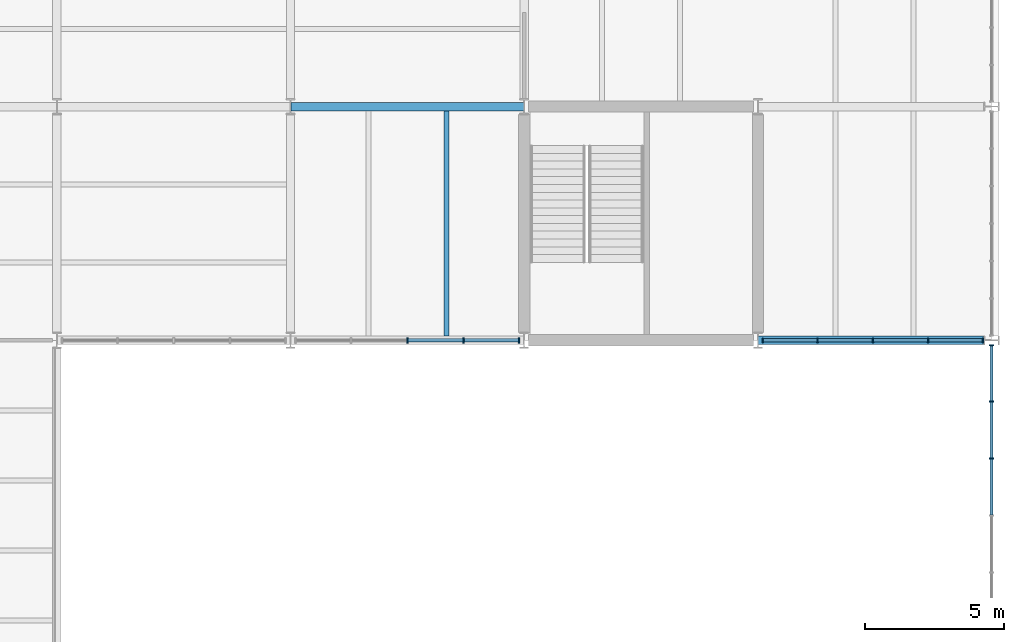
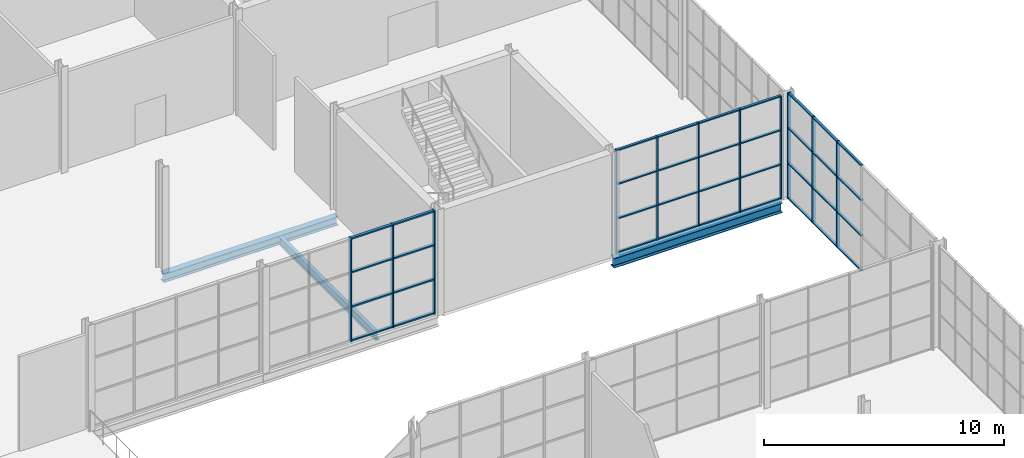
# One storey, part 28 of 64: 47 members, 3 beams, 3 elements without a shape of their own.
"""IFC4 building model written with IfcOpenShell, lengths in metres."""

from ifc_helpers import new_model, si_unit, direction, frame, origin, origin_2d, place, context, subcontext, project, spatial, rectangle, i_section, extrude, material, layer, layer_set, material_profile, profile_set, type_object, element, aggregate, save


model = new_model("IFC4")

# Units and contexts
model_context = context("Model", 3, precision=1e-05, world=origin(), true_north=direction((0.0, 1.0)))
body_context = subcontext(model_context, "Body", "Model", "MODEL_VIEW")
ifc_project = project(units=[si_unit("LENGTHUNIT", "METRE"), si_unit("AREAUNIT", "SQUARE_METRE"), si_unit("VOLUMEUNIT", "CUBIC_METRE"), si_unit("PLANEANGLEUNIT", "RADIAN"), si_unit("MASSUNIT", "GRAM", prefix="KILO")], contexts=[model_context])

# Site, building, storey
site_placement = place(None, origin())
site = spatial("IfcSite", under=ifc_project, at=site_placement, CompositionType="ELEMENT")
building_placement = place(site_placement, origin())
building = spatial("IfcBuilding", under=site, at=building_placement, Name="Galleria Vessillo Department Store", CompositionType="ELEMENT")
storey_placement = place(building_placement, frame((0.0, 0.0, 6.0)))
storey = spatial("IfcBuildingStorey", under=building, at=storey_placement, Name="L01", CompositionType="ELEMENT", Elevation=6.0)

# Curtain wall, members
ifc_material_1 = material(Name="Aluminium and glass curtain wall", Category="aluminium")
ifc_layer_1 = layer(ifc_material_1, 0.159912109375)
ifc_layer_set_1 = layer_set([ifc_layer_1], Name="Aluminium and glass curtain wall")
curtain_wall_type_1 = type_object("IfcCurtainWallType", Name="Arcade portal glazing CW2 2100 module", PredefinedType="NOTDEFINED", material=ifc_layer_set_1)
curtain_wall_1_placement = place(storey_placement, origin())
curtain_wall_1 = element("IfcCurtainWall", 1, at=curtain_wall_1_placement, inside=storey, type_object=curtain_wall_type_1, Name="Arcade portal glazing CW2 2100 module PW-E-N-L01-01", PredefinedType="NOTDEFINED")
ifc_material_2 = material(Name="Aluminium alloy 6063 T6", Category="aluminium")
ifc_material_profile_1 = material_profile(ifc_material_2, rectangle(XDim=0.159912109375, YDim=0.050048828125, at=origin_2d()), Name="AL 50x160")
ifc_profile_set_1 = profile_set([ifc_material_profile_1], Name="Aluminium alloy 6063 T6")
member_type_1 = type_object("IfcMemberType", Name="Aluminium mullion 50 x 160", PredefinedType="MULLION", material=ifc_profile_set_1)
member_1_placement = place(storey_placement, frame((109.3779296875, 37.800048828125, 0.0), z_axis=(0.0, 0.0, 1.0), x_axis=(0.0, 1.0, 0.0)))
member_1 = element("IfcMember", 2, at=member_1_placement, type_object=member_type_1, Name="CW2 mullion 1", PredefinedType="MULLION", context=body_context, shape_type="SweptSolid", body=[
    extrude(rectangle(XDim=0.159912109375, YDim=0.050048828125, at=origin_2d()), origin(), (0.0, 0.0, 1.0), 5.25),
])
member_2_placement = place(storey_placement, frame((111.34326171875, 37.800048828125, 0.0), z_axis=(0.0, 0.0, 1.0), x_axis=(0.0, 1.0, 0.0)))
member_2 = element("IfcMember", 3, at=member_2_placement, type_object=member_type_1, Name="CW2 mullion 2", PredefinedType="MULLION", context=body_context, shape_type="SweptSolid", body=[
    extrude(rectangle(XDim=0.159912109375, YDim=0.050048828125, at=origin_2d()), origin(), (0.0, 0.0, 1.0), 5.25),
])
member_3_placement = place(storey_placement, frame((113.33349609375, 37.800048828125, 0.0), z_axis=(0.0, 0.0, 1.0), x_axis=(0.0, 1.0, 0.0)))
member_3 = element("IfcMember", 4, at=member_3_placement, type_object=member_type_1, Name="CW2 mullion 3", PredefinedType="MULLION", context=body_context, shape_type="SweptSolid", body=[
    extrude(rectangle(XDim=0.159912109375, YDim=0.050048828125, at=origin_2d()), origin(), (0.0, 0.0, 1.0), 5.25),
])
member_4_placement = place(storey_placement, frame((115.323974609375, 37.800048828125, 0.0), z_axis=(0.0, 0.0, 1.0), x_axis=(0.0, 1.0, 0.0)))
member_4 = element("IfcMember", 5, at=member_4_placement, type_object=member_type_1, Name="CW2 mullion 4", PredefinedType="MULLION", context=body_context, shape_type="SweptSolid", body=[
    extrude(rectangle(XDim=0.159912109375, YDim=0.050048828125, at=origin_2d()), origin(), (0.0, 0.0, 1.0), 5.25),
])
member_5_placement = place(storey_placement, frame((117.289306640625, 37.800048828125, 0.0), z_axis=(0.0, 0.0, 1.0), x_axis=(0.0, 1.0, 0.0)))
member_5 = element("IfcMember", 6, at=member_5_placement, type_object=member_type_1, Name="CW2 mullion 5", PredefinedType="MULLION", context=body_context, shape_type="SweptSolid", body=[
    extrude(rectangle(XDim=0.159912109375, YDim=0.050048828125, at=origin_2d()), origin(), (0.0, 0.0, 1.0), 5.25),
])

curtain_wall_2_placement = place(storey_placement, origin())
curtain_wall_2 = element("IfcCurtainWall", 7, at=curtain_wall_2_placement, inside=storey, type_object=curtain_wall_type_1, Name="Arcade portal glazing CW2 2100 module SCR-E-L01-01", PredefinedType="NOTDEFINED")
member_6_placement = place(storey_placement, frame((117.60009765625, 33.548828125, 0.0), z_axis=(0.0, 0.0, 1.0), x_axis=(-1.0, 0.0, 0.0)))
member_6 = element("IfcMember", 8, at=member_6_placement, type_object=member_type_1, Name="CW2 mullion 5", PredefinedType="MULLION", context=body_context, shape_type="SweptSolid", body=[
    extrude(rectangle(XDim=0.159912109375, YDim=0.050048828125, at=origin_2d()), origin(), (0.0, 0.0, 1.0), 5.39990234375),
])
member_7_placement = place(storey_placement, frame((117.60009765625, 35.597900390625, 0.0), z_axis=(0.0, 0.0, 1.0), x_axis=(-1.0, 0.0, 0.0)))
member_7 = element("IfcMember", 9, at=member_7_placement, type_object=member_type_1, Name="CW2 mullion 6", PredefinedType="MULLION", context=body_context, shape_type="SweptSolid", body=[
    extrude(rectangle(XDim=0.159912109375, YDim=0.050048828125, at=origin_2d()), origin(), (0.0, 0.0, 1.0), 5.39990234375),
])
member_8_placement = place(storey_placement, frame((117.60009765625, 37.6220703125, 0.0), z_axis=(0.0, 0.0, 1.0), x_axis=(-1.0, 0.0, 0.0)))
member_8 = element("IfcMember", 10, at=member_8_placement, type_object=member_type_1, Name="CW2 mullion 7", PredefinedType="MULLION", context=body_context, shape_type="SweptSolid", body=[
    extrude(rectangle(XDim=0.159912109375, YDim=0.050048828125, at=origin_2d()), origin(), (0.0, 0.0, 1.0), 5.39990234375),
])

ifc_material_3 = material(Name="Aluminium and glass curtain wall", Category="aluminium")
ifc_layer_2 = layer(ifc_material_3, 0.199951171875)
ifc_layer_set_2 = layer_set([ifc_layer_2], Name="Aluminium and glass curtain wall")
curtain_wall_type_2 = type_object("IfcCurtainWallType", Name="Arcade curtain wall CW1 2100 module", PredefinedType="NOTDEFINED", material=ifc_layer_set_2)
curtain_wall_3_placement = place(storey_placement, origin())
curtain_wall_3 = element("IfcCurtainWall", 11, at=curtain_wall_3_placement, inside=storey, type_object=curtain_wall_type_2, Name="Arcade curtain wall CW1 2100 module AI-AE-N-L01-02", PredefinedType="NOTDEFINED")
ifc_material_4 = material(Name="Aluminium alloy 6063 T6", Category="aluminium")
ifc_material_profile_2 = material_profile(ifc_material_4, rectangle(XDim=0.199951171875, YDim=0.06005859375, at=origin_2d()), Name="AL 60x200")
ifc_profile_set_2 = profile_set([ifc_material_profile_2], Name="Aluminium alloy 6063 T6")
member_type_2 = type_object("IfcMemberType", Name="Aluminium mullion 60 x 200", PredefinedType="MULLION", material=ifc_profile_set_2)
member_9_placement = place(storey_placement, frame((96.60009765625, 37.800048828125, 0.0), z_axis=(0.0, 0.0, 1.0), x_axis=(0.0, 1.0, 0.0)))
member_9 = element("IfcMember", 12, at=member_9_placement, type_object=member_type_2, Name="CW1 mullion 3", PredefinedType="MULLION", context=body_context, shape_type="SweptSolid", body=[
    extrude(rectangle(XDim=0.199951171875, YDim=0.06005859375, at=origin_2d()), origin(), (0.0, 0.0, 1.0), 5.25),
])
member_10_placement = place(storey_placement, frame((98.62353515625, 37.800048828125, 0.0), z_axis=(0.0, 0.0, 1.0), x_axis=(0.0, 1.0, 0.0)))
member_10 = element("IfcMember", 13, at=member_10_placement, type_object=member_type_2, Name="CW1 mullion 4", PredefinedType="MULLION", context=body_context, shape_type="SweptSolid", body=[
    extrude(rectangle(XDim=0.199951171875, YDim=0.06005859375, at=origin_2d()), origin(), (0.0, 0.0, 1.0), 5.25),
])
member_11_placement = place(storey_placement, frame((100.616943359375, 37.800048828125, 0.0), z_axis=(0.0, 0.0, 1.0), x_axis=(0.0, 1.0, 0.0)))
member_11 = element("IfcMember", 14, at=member_11_placement, type_object=member_type_2, Name="CW1 mullion 5", PredefinedType="MULLION", context=body_context, shape_type="SweptSolid", body=[
    extrude(rectangle(XDim=0.199951171875, YDim=0.06005859375, at=origin_2d()), origin(), (0.0, 0.0, 1.0), 5.25),
])

# Member
ifc_material_5 = material(Name="Aluminium alloy 6063 T6", Category="aluminium")
ifc_material_profile_3 = material_profile(ifc_material_5, rectangle(XDim=0.1201171875, YDim=0.06005859375, at=origin_2d()), Name="AL 60x120")
ifc_profile_set_3 = profile_set([ifc_material_profile_3], Name="Aluminium alloy 6063 T6")
member_type_3 = type_object("IfcMemberType", Name="Aluminium transom 60 x 120", PredefinedType="USERDEFINED", material=ifc_profile_set_3)
member_12_placement = place(storey_placement, frame((109.403076171875, 37.800048828125, 0.030029296875), z_axis=(1.0, 0.0, 0.0), x_axis=(0.0, 1.0, 0.0)))
member_12 = element("IfcMember", 15, at=member_12_placement, type_object=member_type_3, Name="CW2 transom 1.1", ObjectType="TRANSOM", PredefinedType="USERDEFINED", context=body_context, shape_type="SweptSolid", body=[
    extrude(rectangle(XDim=0.1201171875, YDim=0.06005859375, at=origin_2d()), origin(), (0.0, 0.0, 1.0), 1.915283203125),
])

member_13_placement = place(storey_placement, frame((109.403076171875, 37.800048828125, 1.75), z_axis=(1.0, 0.0, 0.0), x_axis=(0.0, 1.0, 0.0)))
member_13 = element("IfcMember", 16, at=member_13_placement, type_object=member_type_3, Name="CW2 transom 1.2", ObjectType="TRANSOM", PredefinedType="USERDEFINED", context=body_context, shape_type="SweptSolid", body=[
    extrude(rectangle(XDim=0.1201171875, YDim=0.06005859375, at=origin_2d()), origin(), (0.0, 0.0, 1.0), 1.915283203125),
])

member_14_placement = place(storey_placement, frame((109.403076171875, 37.800048828125, 3.5), z_axis=(1.0, 0.0, 0.0), x_axis=(0.0, 1.0, 0.0)))
member_14 = element("IfcMember", 17, at=member_14_placement, type_object=member_type_3, Name="CW2 transom 1.3", ObjectType="TRANSOM", PredefinedType="USERDEFINED", context=body_context, shape_type="SweptSolid", body=[
    extrude(rectangle(XDim=0.1201171875, YDim=0.06005859375, at=origin_2d()), origin(), (0.0, 0.0, 1.0), 1.915283203125),
])

member_15_placement = place(storey_placement, frame((109.403076171875, 37.800048828125, 5.219970703125), z_axis=(1.0, 0.0, 0.0), x_axis=(0.0, 1.0, 0.0)))
member_15 = element("IfcMember", 18, at=member_15_placement, type_object=member_type_3, Name="CW2 transom 1.4", ObjectType="TRANSOM", PredefinedType="USERDEFINED", context=body_context, shape_type="SweptSolid", body=[
    extrude(rectangle(XDim=0.1201171875, YDim=0.06005859375, at=origin_2d()), origin(), (0.0, 0.0, 1.0), 1.915283203125),
])

member_16_placement = place(storey_placement, frame((111.368408203125, 37.800048828125, 0.030029296875), z_axis=(1.0, 0.0, 0.0), x_axis=(0.0, 1.0, 0.0)))
member_16 = element("IfcMember", 19, at=member_16_placement, type_object=member_type_3, Name="CW2 transom 2.1", ObjectType="TRANSOM", PredefinedType="USERDEFINED", context=body_context, shape_type="SweptSolid", body=[
    extrude(rectangle(XDim=0.1201171875, YDim=0.06005859375, at=origin_2d()), origin(), (0.0, 0.0, 1.0), 1.940185546875),
])

member_17_placement = place(storey_placement, frame((111.368408203125, 37.800048828125, 1.75), z_axis=(1.0, 0.0, 0.0), x_axis=(0.0, 1.0, 0.0)))
member_17 = element("IfcMember", 20, at=member_17_placement, type_object=member_type_3, Name="CW2 transom 2.2", ObjectType="TRANSOM", PredefinedType="USERDEFINED", context=body_context, shape_type="SweptSolid", body=[
    extrude(rectangle(XDim=0.1201171875, YDim=0.06005859375, at=origin_2d()), origin(), (0.0, 0.0, 1.0), 1.940185546875),
])

member_18_placement = place(storey_placement, frame((111.368408203125, 37.800048828125, 3.5), z_axis=(1.0, 0.0, 0.0), x_axis=(0.0, 1.0, 0.0)))
member_18 = element("IfcMember", 21, at=member_18_placement, type_object=member_type_3, Name="CW2 transom 2.3", ObjectType="TRANSOM", PredefinedType="USERDEFINED", context=body_context, shape_type="SweptSolid", body=[
    extrude(rectangle(XDim=0.1201171875, YDim=0.06005859375, at=origin_2d()), origin(), (0.0, 0.0, 1.0), 1.940185546875),
])

member_19_placement = place(storey_placement, frame((111.368408203125, 37.800048828125, 5.219970703125), z_axis=(1.0, 0.0, 0.0), x_axis=(0.0, 1.0, 0.0)))
member_19 = element("IfcMember", 22, at=member_19_placement, type_object=member_type_3, Name="CW2 transom 2.4", ObjectType="TRANSOM", PredefinedType="USERDEFINED", context=body_context, shape_type="SweptSolid", body=[
    extrude(rectangle(XDim=0.1201171875, YDim=0.06005859375, at=origin_2d()), origin(), (0.0, 0.0, 1.0), 1.940185546875),
])

member_20_placement = place(storey_placement, frame((113.358642578125, 37.800048828125, 0.030029296875), z_axis=(1.0, 0.0, 0.0), x_axis=(0.0, 1.0, 0.0)))
member_20 = element("IfcMember", 23, at=member_20_placement, type_object=member_type_3, Name="CW2 transom 3.1", ObjectType="TRANSOM", PredefinedType="USERDEFINED", context=body_context, shape_type="SweptSolid", body=[
    extrude(rectangle(XDim=0.1201171875, YDim=0.06005859375, at=origin_2d()), origin(), (0.0, 0.0, 1.0), 1.940185546875),
])

member_21_placement = place(storey_placement, frame((113.358642578125, 37.800048828125, 1.75), z_axis=(1.0, 0.0, 0.0), x_axis=(0.0, 1.0, 0.0)))
member_21 = element("IfcMember", 24, at=member_21_placement, type_object=member_type_3, Name="CW2 transom 3.2", ObjectType="TRANSOM", PredefinedType="USERDEFINED", context=body_context, shape_type="SweptSolid", body=[
    extrude(rectangle(XDim=0.1201171875, YDim=0.06005859375, at=origin_2d()), origin(), (0.0, 0.0, 1.0), 1.940185546875),
])

member_22_placement = place(storey_placement, frame((113.358642578125, 37.800048828125, 3.5), z_axis=(1.0, 0.0, 0.0), x_axis=(0.0, 1.0, 0.0)))
member_22 = element("IfcMember", 25, at=member_22_placement, type_object=member_type_3, Name="CW2 transom 3.3", ObjectType="TRANSOM", PredefinedType="USERDEFINED", context=body_context, shape_type="SweptSolid", body=[
    extrude(rectangle(XDim=0.1201171875, YDim=0.06005859375, at=origin_2d()), origin(), (0.0, 0.0, 1.0), 1.940185546875),
])

member_23_placement = place(storey_placement, frame((113.358642578125, 37.800048828125, 5.219970703125), z_axis=(1.0, 0.0, 0.0), x_axis=(0.0, 1.0, 0.0)))
member_23 = element("IfcMember", 26, at=member_23_placement, type_object=member_type_3, Name="CW2 transom 3.4", ObjectType="TRANSOM", PredefinedType="USERDEFINED", context=body_context, shape_type="SweptSolid", body=[
    extrude(rectangle(XDim=0.1201171875, YDim=0.06005859375, at=origin_2d()), origin(), (0.0, 0.0, 1.0), 1.940185546875),
])

member_24_placement = place(storey_placement, frame((115.348876953125, 37.800048828125, 0.030029296875), z_axis=(1.0, 0.0, 0.0), x_axis=(0.0, 1.0, 0.0)))
member_24 = element("IfcMember", 27, at=member_24_placement, type_object=member_type_3, Name="CW2 transom 4.1", ObjectType="TRANSOM", PredefinedType="USERDEFINED", context=body_context, shape_type="SweptSolid", body=[
    extrude(rectangle(XDim=0.1201171875, YDim=0.06005859375, at=origin_2d()), origin(), (0.0, 0.0, 1.0), 1.915283203125),
])

member_25_placement = place(storey_placement, frame((115.348876953125, 37.800048828125, 1.75), z_axis=(1.0, 0.0, 0.0), x_axis=(0.0, 1.0, 0.0)))
member_25 = element("IfcMember", 28, at=member_25_placement, type_object=member_type_3, Name="CW2 transom 4.2", ObjectType="TRANSOM", PredefinedType="USERDEFINED", context=body_context, shape_type="SweptSolid", body=[
    extrude(rectangle(XDim=0.1201171875, YDim=0.06005859375, at=origin_2d()), origin(), (0.0, 0.0, 1.0), 1.915283203125),
])

member_26_placement = place(storey_placement, frame((115.348876953125, 37.800048828125, 3.5), z_axis=(1.0, 0.0, 0.0), x_axis=(0.0, 1.0, 0.0)))
member_26 = element("IfcMember", 29, at=member_26_placement, type_object=member_type_3, Name="CW2 transom 4.3", ObjectType="TRANSOM", PredefinedType="USERDEFINED", context=body_context, shape_type="SweptSolid", body=[
    extrude(rectangle(XDim=0.1201171875, YDim=0.06005859375, at=origin_2d()), origin(), (0.0, 0.0, 1.0), 1.915283203125),
])

member_27_placement = place(storey_placement, frame((115.348876953125, 37.800048828125, 5.219970703125), z_axis=(1.0, 0.0, 0.0), x_axis=(0.0, 1.0, 0.0)))
member_27 = element("IfcMember", 30, at=member_27_placement, type_object=member_type_3, Name="CW2 transom 4.4", ObjectType="TRANSOM", PredefinedType="USERDEFINED", context=body_context, shape_type="SweptSolid", body=[
    extrude(rectangle(XDim=0.1201171875, YDim=0.06005859375, at=origin_2d()), origin(), (0.0, 0.0, 1.0), 1.915283203125),
])

aggregate(curtain_wall_1, [member_1, member_2, member_3, member_4, member_5, member_12, member_13, member_14, member_15, member_16, member_17, member_18, member_19, member_20, member_21, member_22, member_23, member_24, member_25, member_26, member_27])

member_28_placement = place(storey_placement, frame((117.60009765625, 31.524658203125, 0.030029296875), z_axis=(0.0, 1.0, 0.0), x_axis=(-1.0, 0.0, 0.0)))
member_28 = element("IfcMember", 31, at=member_28_placement, type_object=member_type_3, Name="CW2 transom 4.1", ObjectType="TRANSOM", PredefinedType="USERDEFINED", context=body_context, shape_type="SweptSolid", body=[
    extrude(rectangle(XDim=0.1201171875, YDim=0.06005859375, at=origin_2d()), origin(), (0.0, 0.0, 1.0), 1.999267578125),
])

member_29_placement = place(storey_placement, frame((117.60009765625, 31.524658203125, 1.800048828125), z_axis=(0.0, 1.0, 0.0), x_axis=(-1.0, 0.0, 0.0)))
member_29 = element("IfcMember", 32, at=member_29_placement, type_object=member_type_3, Name="CW2 transom 4.2", ObjectType="TRANSOM", PredefinedType="USERDEFINED", context=body_context, shape_type="SweptSolid", body=[
    extrude(rectangle(XDim=0.1201171875, YDim=0.06005859375, at=origin_2d()), origin(), (0.0, 0.0, 1.0), 1.999267578125),
])

member_30_placement = place(storey_placement, frame((117.60009765625, 31.524658203125, 3.599853515625), z_axis=(0.0, 1.0, 0.0), x_axis=(-1.0, 0.0, 0.0)))
member_30 = element("IfcMember", 33, at=member_30_placement, type_object=member_type_3, Name="CW2 transom 4.3", ObjectType="TRANSOM", PredefinedType="USERDEFINED", context=body_context, shape_type="SweptSolid", body=[
    extrude(rectangle(XDim=0.1201171875, YDim=0.06005859375, at=origin_2d()), origin(), (0.0, 0.0, 1.0), 1.999267578125),
])

member_31_placement = place(storey_placement, frame((117.60009765625, 31.524658203125, 5.369873046875), z_axis=(0.0, 1.0, 0.0), x_axis=(-1.0, 0.0, 0.0)))
member_31 = element("IfcMember", 34, at=member_31_placement, type_object=member_type_3, Name="CW2 transom 4.4", ObjectType="TRANSOM", PredefinedType="USERDEFINED", context=body_context, shape_type="SweptSolid", body=[
    extrude(rectangle(XDim=0.1201171875, YDim=0.06005859375, at=origin_2d()), origin(), (0.0, 0.0, 1.0), 1.999267578125),
])

member_32_placement = place(storey_placement, frame((117.60009765625, 33.57373046875, 0.030029296875), z_axis=(0.0, 1.0, 0.0), x_axis=(-1.0, 0.0, 0.0)))
member_32 = element("IfcMember", 35, at=member_32_placement, type_object=member_type_3, Name="CW2 transom 5.1", ObjectType="TRANSOM", PredefinedType="USERDEFINED", context=body_context, shape_type="SweptSolid", body=[
    extrude(rectangle(XDim=0.1201171875, YDim=0.06005859375, at=origin_2d()), origin(), (0.0, 0.0, 1.0), 1.999267578125),
])

member_33_placement = place(storey_placement, frame((117.60009765625, 33.57373046875, 1.800048828125), z_axis=(0.0, 1.0, 0.0), x_axis=(-1.0, 0.0, 0.0)))
member_33 = element("IfcMember", 36, at=member_33_placement, type_object=member_type_3, Name="CW2 transom 5.2", ObjectType="TRANSOM", PredefinedType="USERDEFINED", context=body_context, shape_type="SweptSolid", body=[
    extrude(rectangle(XDim=0.1201171875, YDim=0.06005859375, at=origin_2d()), origin(), (0.0, 0.0, 1.0), 1.999267578125),
])

member_34_placement = place(storey_placement, frame((117.60009765625, 33.57373046875, 3.599853515625), z_axis=(0.0, 1.0, 0.0), x_axis=(-1.0, 0.0, 0.0)))
member_34 = element("IfcMember", 37, at=member_34_placement, type_object=member_type_3, Name="CW2 transom 5.3", ObjectType="TRANSOM", PredefinedType="USERDEFINED", context=body_context, shape_type="SweptSolid", body=[
    extrude(rectangle(XDim=0.1201171875, YDim=0.06005859375, at=origin_2d()), origin(), (0.0, 0.0, 1.0), 1.999267578125),
])

member_35_placement = place(storey_placement, frame((117.60009765625, 33.57373046875, 5.369873046875), z_axis=(0.0, 1.0, 0.0), x_axis=(-1.0, 0.0, 0.0)))
member_35 = element("IfcMember", 38, at=member_35_placement, type_object=member_type_3, Name="CW2 transom 5.4", ObjectType="TRANSOM", PredefinedType="USERDEFINED", context=body_context, shape_type="SweptSolid", body=[
    extrude(rectangle(XDim=0.1201171875, YDim=0.06005859375, at=origin_2d()), origin(), (0.0, 0.0, 1.0), 1.999267578125),
])

member_36_placement = place(storey_placement, frame((117.60009765625, 35.622802734375, 0.030029296875), z_axis=(0.0, 1.0, 0.0), x_axis=(-1.0, 0.0, 0.0)))
member_36 = element("IfcMember", 39, at=member_36_placement, type_object=member_type_3, Name="CW2 transom 6.1", ObjectType="TRANSOM", PredefinedType="USERDEFINED", context=body_context, shape_type="SweptSolid", body=[
    extrude(rectangle(XDim=0.1201171875, YDim=0.06005859375, at=origin_2d()), origin(), (0.0, 0.0, 1.0), 1.97412109375),
])

member_37_placement = place(storey_placement, frame((117.60009765625, 35.622802734375, 1.800048828125), z_axis=(0.0, 1.0, 0.0), x_axis=(-1.0, 0.0, 0.0)))
member_37 = element("IfcMember", 40, at=member_37_placement, type_object=member_type_3, Name="CW2 transom 6.2", ObjectType="TRANSOM", PredefinedType="USERDEFINED", context=body_context, shape_type="SweptSolid", body=[
    extrude(rectangle(XDim=0.1201171875, YDim=0.06005859375, at=origin_2d()), origin(), (0.0, 0.0, 1.0), 1.97412109375),
])

member_38_placement = place(storey_placement, frame((117.60009765625, 35.622802734375, 3.599853515625), z_axis=(0.0, 1.0, 0.0), x_axis=(-1.0, 0.0, 0.0)))
member_38 = element("IfcMember", 41, at=member_38_placement, type_object=member_type_3, Name="CW2 transom 6.3", ObjectType="TRANSOM", PredefinedType="USERDEFINED", context=body_context, shape_type="SweptSolid", body=[
    extrude(rectangle(XDim=0.1201171875, YDim=0.06005859375, at=origin_2d()), origin(), (0.0, 0.0, 1.0), 1.97412109375),
])

member_39_placement = place(storey_placement, frame((117.60009765625, 35.622802734375, 5.369873046875), z_axis=(0.0, 1.0, 0.0), x_axis=(-1.0, 0.0, 0.0)))
member_39 = element("IfcMember", 42, at=member_39_placement, type_object=member_type_3, Name="CW2 transom 6.4", ObjectType="TRANSOM", PredefinedType="USERDEFINED", context=body_context, shape_type="SweptSolid", body=[
    extrude(rectangle(XDim=0.1201171875, YDim=0.06005859375, at=origin_2d()), origin(), (0.0, 0.0, 1.0), 1.97412109375),
])

aggregate(curtain_wall_2, [member_6, member_7, member_8, member_28, member_29, member_30, member_31, member_32, member_33, member_34, member_35, member_36, member_37, member_38, member_39])

ifc_material_6 = material(Name="Aluminium alloy 6063 T6", Category="aluminium")
ifc_material_profile_4 = material_profile(ifc_material_6, rectangle(XDim=0.139892578125, YDim=0.070068359375, at=origin_2d()), Name="AL 70x140")
ifc_profile_set_4 = profile_set([ifc_material_profile_4], Name="Aluminium alloy 6063 T6")
member_type_4 = type_object("IfcMemberType", Name="Aluminium transom 70 x 140", PredefinedType="USERDEFINED", material=ifc_profile_set_4)
member_40_placement = place(storey_placement, frame((96.6298828125, 37.800048828125, 0.034912109375), z_axis=(1.0, 0.0, 0.0), x_axis=(0.0, 1.0, 0.0)))
member_40 = element("IfcMember", 43, at=member_40_placement, type_object=member_type_4, Name="CW1 transom 3.1", ObjectType="TRANSOM", PredefinedType="USERDEFINED", context=body_context, shape_type="SweptSolid", body=[
    extrude(rectangle(XDim=0.139892578125, YDim=0.070068359375, at=origin_2d()), origin(), (0.0, 0.0, 1.0), 1.963623046875),
])

member_41_placement = place(storey_placement, frame((96.6298828125, 37.800048828125, 1.75), z_axis=(1.0, 0.0, 0.0), x_axis=(0.0, 1.0, 0.0)))
member_41 = element("IfcMember", 44, at=member_41_placement, type_object=member_type_4, Name="CW1 transom 3.2", ObjectType="TRANSOM", PredefinedType="USERDEFINED", context=body_context, shape_type="SweptSolid", body=[
    extrude(rectangle(XDim=0.139892578125, YDim=0.070068359375, at=origin_2d()), origin(), (0.0, 0.0, 1.0), 1.963623046875),
])

member_42_placement = place(storey_placement, frame((96.6298828125, 37.800048828125, 3.5), z_axis=(1.0, 0.0, 0.0), x_axis=(0.0, 1.0, 0.0)))
member_42 = element("IfcMember", 45, at=member_42_placement, type_object=member_type_4, Name="CW1 transom 3.3", ObjectType="TRANSOM", PredefinedType="USERDEFINED", context=body_context, shape_type="SweptSolid", body=[
    extrude(rectangle(XDim=0.139892578125, YDim=0.070068359375, at=origin_2d()), origin(), (0.0, 0.0, 1.0), 1.963623046875),
])

member_43_placement = place(storey_placement, frame((96.6298828125, 37.800048828125, 5.215087890625), z_axis=(1.0, 0.0, 0.0), x_axis=(0.0, 1.0, 0.0)))
member_43 = element("IfcMember", 46, at=member_43_placement, type_object=member_type_4, Name="CW1 transom 3.4", ObjectType="TRANSOM", PredefinedType="USERDEFINED", context=body_context, shape_type="SweptSolid", body=[
    extrude(rectangle(XDim=0.139892578125, YDim=0.070068359375, at=origin_2d()), origin(), (0.0, 0.0, 1.0), 1.963623046875),
])

member_44_placement = place(storey_placement, frame((98.653564453125, 37.800048828125, 0.034912109375), z_axis=(1.0, 0.0, 0.0), x_axis=(0.0, 1.0, 0.0)))
member_44 = element("IfcMember", 47, at=member_44_placement, type_object=member_type_4, Name="CW1 transom 4.1", ObjectType="TRANSOM", PredefinedType="USERDEFINED", context=body_context, shape_type="SweptSolid", body=[
    extrude(rectangle(XDim=0.139892578125, YDim=0.070068359375, at=origin_2d()), origin(), (0.0, 0.0, 1.0), 1.933349609375),
])

member_45_placement = place(storey_placement, frame((98.653564453125, 37.800048828125, 1.75), z_axis=(1.0, 0.0, 0.0), x_axis=(0.0, 1.0, 0.0)))
member_45 = element("IfcMember", 48, at=member_45_placement, type_object=member_type_4, Name="CW1 transom 4.2", ObjectType="TRANSOM", PredefinedType="USERDEFINED", context=body_context, shape_type="SweptSolid", body=[
    extrude(rectangle(XDim=0.139892578125, YDim=0.070068359375, at=origin_2d()), origin(), (0.0, 0.0, 1.0), 1.933349609375),
])

member_46_placement = place(storey_placement, frame((98.653564453125, 37.800048828125, 3.5), z_axis=(1.0, 0.0, 0.0), x_axis=(0.0, 1.0, 0.0)))
member_46 = element("IfcMember", 49, at=member_46_placement, type_object=member_type_4, Name="CW1 transom 4.3", ObjectType="TRANSOM", PredefinedType="USERDEFINED", context=body_context, shape_type="SweptSolid", body=[
    extrude(rectangle(XDim=0.139892578125, YDim=0.070068359375, at=origin_2d()), origin(), (0.0, 0.0, 1.0), 1.933349609375),
])

member_47_placement = place(storey_placement, frame((98.653564453125, 37.800048828125, 5.215087890625), z_axis=(1.0, 0.0, 0.0), x_axis=(0.0, 1.0, 0.0)))
member_47 = element("IfcMember", 50, at=member_47_placement, type_object=member_type_4, Name="CW1 transom 4.4", ObjectType="TRANSOM", PredefinedType="USERDEFINED", context=body_context, shape_type="SweptSolid", body=[
    extrude(rectangle(XDim=0.139892578125, YDim=0.070068359375, at=origin_2d()), origin(), (0.0, 0.0, 1.0), 1.933349609375),
])

aggregate(curtain_wall_3, [member_9, member_10, member_11, member_40, member_41, member_42, member_43, member_44, member_45, member_46, member_47])

# Beams
ifc_material_7 = material(Name="Steel S355 J2", Category="steel")
ifc_material_profile_5 = material_profile(ifc_material_7, i_section(OverallWidth=0.300048828125, OverallDepth=0.43994140625, WebThickness=0.011474609375, FlangeThickness=0.02099609375, FilletRadius=0.027099609375, at=origin_2d()), Name="HEA 450")
ifc_profile_set_5 = profile_set([ifc_material_profile_5], Name="Steel S355 J2")
beam_type_1 = type_object("IfcBeamType", Name="Floor girder HEA 450", PredefinedType="BEAM", material=ifc_profile_set_5)
beam_1_placement = place(storey_placement, frame((92.41064453125, 46.199951171875, -0.369873046875), z_axis=(1.0, 0.0, 0.0), x_axis=(0.0, 1.0, 0.0)))
element("IfcBeam", 51, at=beam_1_placement, inside=storey, type_object=beam_type_1, Name="S-BM-L01-GI-x46200-92411", PredefinedType="BEAM", context=body_context, shape_type="SweptSolid", body=[
    extrude(i_section(OverallWidth=0.300048828125, OverallDepth=0.43994140625, WebThickness=0.011474609375, FlangeThickness=0.02099609375, FilletRadius=0.027099609375, at=origin_2d()), origin(), (0.0, 0.0, 1.0), 8.378662109375),
])
ifc_material_8 = material(Name="Steel S355 J2", Category="steel")
ifc_material_profile_6 = material_profile(ifc_material_8, i_section(OverallWidth=0.179931640625, OverallDepth=0.39990234375, WebThickness=0.008544921875, FlangeThickness=0.013427734375, FilletRadius=0.02099609375, at=origin_2d()), Name="IPE 400")
ifc_profile_set_6 = profile_set([ifc_material_profile_6], Name="Steel S355 J2")
beam_type_2 = type_object("IfcBeamType", Name="Floor joist IPE 400", PredefinedType="JOIST", material=ifc_profile_set_6)
beam_2_placement = place(storey_placement, frame((98.0, 37.9501953125, -0.349853515625), z_axis=(0.0, 1.0, 0.0), x_axis=(-1.0, 0.0, 0.0)))
element("IfcBeam", 52, at=beam_2_placement, inside=storey, type_object=beam_type_2, Name="S-BM-L01-JO-y98000-37950", PredefinedType="JOIST", context=body_context, shape_type="SweptSolid", body=[
    extrude(i_section(OverallWidth=0.179931640625, OverallDepth=0.39990234375, WebThickness=0.008544921875, FlangeThickness=0.013427734375, FilletRadius=0.02099609375, at=origin_2d()), origin(), (0.0, 0.0, 1.0), 8.099609375),
])
ifc_material_9 = material(Name="Steel S355 J2", Category="steel")
ifc_material_profile_7 = material_profile(ifc_material_9, i_section(OverallWidth=0.300048828125, OverallDepth=0.489990234375, WebThickness=0.011962890625, FlangeThickness=0.02294921875, FilletRadius=0.027099609375, at=origin_2d()), Name="HEA 500")
ifc_profile_set_7 = profile_set([ifc_material_profile_7], Name="Steel S355 J2")
beam_type_3 = type_object("IfcBeamType", Name="Trimmer beam HEA 500", PredefinedType="BEAM", material=ifc_profile_set_7)
beam_3_placement = place(storey_placement, frame((109.210693359375, 37.800048828125, -0.39501953125), z_axis=(1.0, 0.0, 0.0), x_axis=(0.0, 1.0, 0.0)))
element("IfcBeam", 53, at=beam_3_placement, inside=storey, type_object=beam_type_3, Name="S-BM-L01-TR-x37800-109211", PredefinedType="BEAM", context=body_context, shape_type="SweptSolid", body=[
    extrude(i_section(OverallWidth=0.300048828125, OverallDepth=0.489990234375, WebThickness=0.011962890625, FlangeThickness=0.02294921875, FilletRadius=0.027099609375, at=origin_2d()), origin(), (0.0, 0.0, 1.0), 8.103271484375),
])

save(model, "model.ifc")
